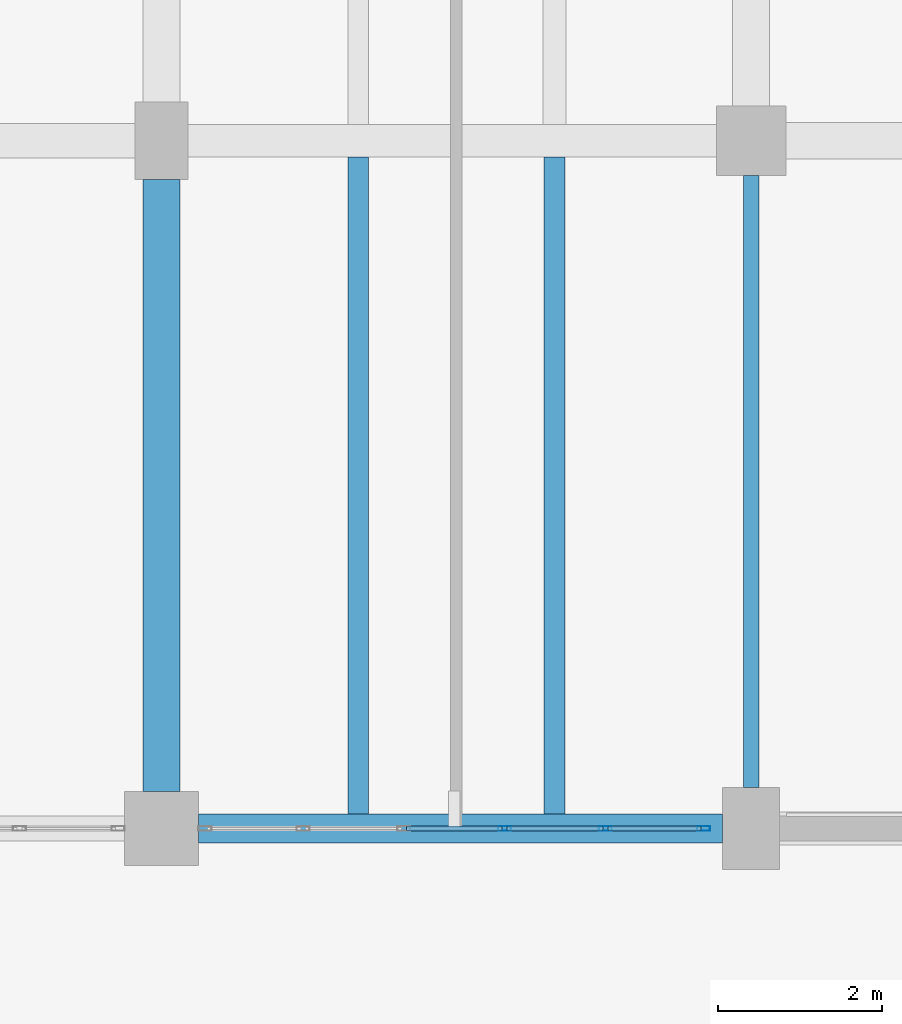
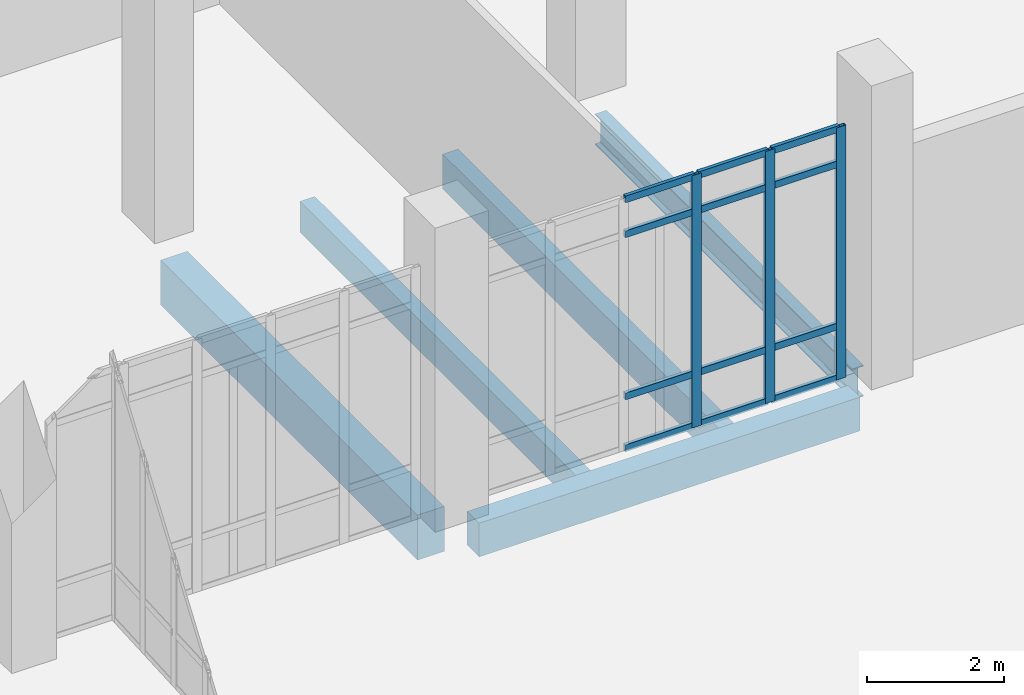
# One storey, part 51 of 110: 15 members, 5 beams, 1 element without a shape of its own.
"""IFC4 building model written with IfcOpenShell, lengths in metres."""

from ifc_helpers import new_model, si_unit, direction, frame, origin, origin_2d, place, context, subcontext, project, spatial, rectangle, hollow_rectangle, i_section, extrude, material, material_profile, profile_set, type_object, element, aggregate, save


model = new_model("IFC4")

# Units and contexts
model_context = context("Model", 3, precision=1e-05, world=origin(), true_north=direction((0.0, 1.0)))
body_context = subcontext(model_context, "Body", "Model", "MODEL_VIEW")
ifc_project = project(units=[si_unit("LENGTHUNIT", "METRE"), si_unit("AREAUNIT", "SQUARE_METRE"), si_unit("VOLUMEUNIT", "CUBIC_METRE"), si_unit("PLANEANGLEUNIT", "RADIAN"), si_unit("MASSUNIT", "GRAM", prefix="KILO")], contexts=[model_context])

# Site, building, storey
site_placement = place(None, origin())
site = spatial("IfcSite", under=ifc_project, at=site_placement, CompositionType="ELEMENT")
building_placement = place(site_placement, origin())
building = spatial("IfcBuilding", under=site, at=building_placement, Name="Kalluvel Institute of Natural Sciences", CompositionType="ELEMENT")
storey_placement = place(building_placement, origin())
storey = spatial("IfcBuildingStorey", under=building, at=storey_placement, Name="L00", CompositionType="ELEMENT", Elevation=0.0)

# Beams
ifc_material_1 = material(Name="Steel E350 Grade 350", Category="steel")
ifc_material_profile_1 = material_profile(ifc_material_1, i_section(OverallWidth=0.18994140625, OverallDepth=0.550048828125, WebThickness=0.01123046875, FlangeThickness=0.019287109375, FilletRadius=0.01806640625, at=origin_2d()), Name="ISMB 550")
ifc_profile_set_1 = profile_set([ifc_material_profile_1], Name="Steel E350 Grade 350")
beam_type_1 = type_object("IfcBeamType", Name="BM-ISMB550", PredefinedType="BEAM", material=ifc_profile_set_1)
beam_1_placement = place(storey_placement, frame((100.39990234375, 103.300048828125, -0.594970703125), z_axis=(0.0, 1.0, 0.0), x_axis=(-1.0, 0.0, 0.0)))
element("IfcBeam", 1, at=beam_1_placement, inside=storey, type_object=beam_type_1, Name="L00 girder GIR-L00-NS-X1004-Y1028", PredefinedType="BEAM", context=body_context, shape_type="SweptSolid", body=[
    extrude(i_section(OverallWidth=0.18994140625, OverallDepth=0.550048828125, WebThickness=0.01123046875, FlangeThickness=0.019287109375, FilletRadius=0.01806640625, at=origin_2d()), origin(), (0.0, 0.0, 1.0), 7.474853515625),
])
ifc_material_2 = material(Name="Concrete M40", Category="concrete")
ifc_material_profile_2 = material_profile(ifc_material_2, rectangle(XDim=0.449951171875, YDim=0.800048828125, at=origin_2d()), Name="RCB 450x800")
ifc_profile_set_2 = profile_set([ifc_material_profile_2], Name="Concrete M40")
beam_type_2 = type_object("IfcBeamType", Name="BM-RC450x800", PredefinedType="BEAM", material=ifc_profile_set_2)
beam_2_placement = place(storey_placement, frame((93.199951171875, 103.25, -0.719970703125), z_axis=(0.0, 1.0, 0.0), x_axis=(-1.0, 0.0, 0.0)))
element("IfcBeam", 2, at=beam_2_placement, inside=storey, type_object=beam_type_2, Name="L00 girder GIR-L00-NS-X932-Y1028", PredefinedType="BEAM", context=body_context, shape_type="SweptSolid", body=[
    extrude(rectangle(XDim=0.449951171875, YDim=0.800048828125, at=origin_2d()), origin(), (0.0, 0.0, 1.0), 7.47509765625),
])

# Curtain wall, members
ifc_material_3 = material(Name="Aluminium AW-6063 T6", Category="aluminium")
curtain_wall_type = type_object("IfcCurtainWallType", Name="CW-WET-54", PredefinedType="USERDEFINED", material=ifc_material_3)
curtain_wall_placement = place(storey_placement, origin())
curtain_wall = element("IfcCurtainWall", 3, at=curtain_wall_placement, inside=storey, type_object=curtain_wall_type, Name="L00 Gothic lancet curtain wall CWA-L00-X937-Y1028", ObjectType="UNITISED LANCET FACADE", PredefinedType="USERDEFINED")
ifc_material_profile_3 = material_profile(ifc_material_3, hollow_rectangle(XDim=0.06005859375, YDim=0.159912109375, WallThickness=0.00390625, at=origin_2d()), Name="CWM 60x160")
ifc_profile_set_3 = profile_set([ifc_material_profile_3], Name="Aluminium AW-6063 T6")
member_type_1 = type_object("IfcMemberType", Name="CWM-60x160", PredefinedType="MULLION", material=ifc_profile_set_3)
member_1_placement = place(storey_placement, frame((97.389892578125, 102.800048828125, 0.0), z_axis=(0.0, 0.0, 1.0), x_axis=(0.0, 1.0, 0.0)))
member_1 = element("IfcMember", 4, at=member_1_placement, type_object=member_type_1, Name="CW-02 mullion 4", PredefinedType="MULLION", context=body_context, shape_type="SweptSolid", body=[
    extrude(hollow_rectangle(XDim=0.06005859375, YDim=0.159912109375, WallThickness=0.00390625, at=origin_2d()), origin(), (0.0, 0.0, 1.0), 4.47998046875),
])
member_2_placement = place(storey_placement, frame((98.6201171875, 102.800048828125, 0.0), z_axis=(0.0, 0.0, 1.0), x_axis=(0.0, 1.0, 0.0)))
member_2 = element("IfcMember", 5, at=member_2_placement, type_object=member_type_1, Name="CW-02 mullion 5", PredefinedType="MULLION", context=body_context, shape_type="SweptSolid", body=[
    extrude(hollow_rectangle(XDim=0.06005859375, YDim=0.159912109375, WallThickness=0.00390625, at=origin_2d()), origin(), (0.0, 0.0, 1.0), 4.47998046875),
])
member_3_placement = place(storey_placement, frame((99.820068359375, 102.800048828125, 0.0), z_axis=(0.0, 0.0, 1.0), x_axis=(0.0, 1.0, 0.0)))
member_3 = element("IfcMember", 6, at=member_3_placement, type_object=member_type_1, Name="CW-02 mullion 6", PredefinedType="MULLION", context=body_context, shape_type="SweptSolid", body=[
    extrude(hollow_rectangle(XDim=0.06005859375, YDim=0.159912109375, WallThickness=0.00390625, at=origin_2d()), origin(), (0.0, 0.0, 1.0), 4.47998046875),
])
ifc_material_profile_4 = material_profile(ifc_material_3, hollow_rectangle(XDim=0.06005859375, YDim=0.1201171875, WallThickness=0.00390625, at=origin_2d()), Name="CWT 60x120")
ifc_profile_set_4 = profile_set([ifc_material_profile_4], Name="Aluminium AW-6063 T6")
member_type_2 = type_object("IfcMemberType", Name="CWT-60x120", PredefinedType="USERDEFINED", material=ifc_profile_set_4)
member_4_placement = place(storey_placement, frame((96.18994140625, 102.800048828125, 0.030029296875), z_axis=(1.0, 0.0, 0.0), x_axis=(0.0, 1.0, 0.0)))
member_4 = element("IfcMember", 7, at=member_4_placement, type_object=member_type_2, Name="CW-02 transom 3.1", ObjectType="TRANSOM", PredefinedType="USERDEFINED", context=body_context, shape_type="SweptSolid", body=[
    extrude(hollow_rectangle(XDim=0.06005859375, YDim=0.1201171875, WallThickness=0.00390625, at=origin_2d()), origin(), (0.0, 0.0, 1.0), 1.170166015625),
])
member_5_placement = place(storey_placement, frame((96.18994140625, 102.800048828125, 0.949951171875), z_axis=(1.0, 0.0, 0.0), x_axis=(0.0, 1.0, 0.0)))
member_5 = element("IfcMember", 8, at=member_5_placement, type_object=member_type_2, Name="CW-02 transom 3.2", ObjectType="TRANSOM", PredefinedType="USERDEFINED", context=body_context, shape_type="SweptSolid", body=[
    extrude(hollow_rectangle(XDim=0.06005859375, YDim=0.1201171875, WallThickness=0.00390625, at=origin_2d()), origin(), (0.0, 0.0, 1.0), 1.170166015625),
])
member_6_placement = place(storey_placement, frame((96.18994140625, 102.800048828125, 3.830078125), z_axis=(1.0, 0.0, 0.0), x_axis=(0.0, 1.0, 0.0)))
member_6 = element("IfcMember", 9, at=member_6_placement, type_object=member_type_2, Name="CW-02 transom 3.3", ObjectType="TRANSOM", PredefinedType="USERDEFINED", context=body_context, shape_type="SweptSolid", body=[
    extrude(hollow_rectangle(XDim=0.06005859375, YDim=0.1201171875, WallThickness=0.00390625, at=origin_2d()), origin(), (0.0, 0.0, 1.0), 1.170166015625),
])
member_7_placement = place(storey_placement, frame((96.18994140625, 102.800048828125, 4.449951171875), z_axis=(1.0, 0.0, 0.0), x_axis=(0.0, 1.0, 0.0)))
member_7 = element("IfcMember", 10, at=member_7_placement, type_object=member_type_2, Name="CW-02 transom 3.4", ObjectType="TRANSOM", PredefinedType="USERDEFINED", context=body_context, shape_type="SweptSolid", body=[
    extrude(hollow_rectangle(XDim=0.06005859375, YDim=0.1201171875, WallThickness=0.00390625, at=origin_2d()), origin(), (0.0, 0.0, 1.0), 1.170166015625),
])
member_8_placement = place(storey_placement, frame((97.419921875, 102.800048828125, 0.030029296875), z_axis=(1.0, 0.0, 0.0), x_axis=(0.0, 1.0, 0.0)))
member_8 = element("IfcMember", 11, at=member_8_placement, type_object=member_type_2, Name="CW-02 transom 4.1", ObjectType="TRANSOM", PredefinedType="USERDEFINED", context=body_context, shape_type="SweptSolid", body=[
    extrude(hollow_rectangle(XDim=0.06005859375, YDim=0.1201171875, WallThickness=0.00390625, at=origin_2d()), origin(), (0.0, 0.0, 1.0), 1.170166015625),
])
member_9_placement = place(storey_placement, frame((97.419921875, 102.800048828125, 0.949951171875), z_axis=(1.0, 0.0, 0.0), x_axis=(0.0, 1.0, 0.0)))
member_9 = element("IfcMember", 12, at=member_9_placement, type_object=member_type_2, Name="CW-02 transom 4.2", ObjectType="TRANSOM", PredefinedType="USERDEFINED", context=body_context, shape_type="SweptSolid", body=[
    extrude(hollow_rectangle(XDim=0.06005859375, YDim=0.1201171875, WallThickness=0.00390625, at=origin_2d()), origin(), (0.0, 0.0, 1.0), 1.170166015625),
])
member_10_placement = place(storey_placement, frame((97.419921875, 102.800048828125, 3.830078125), z_axis=(1.0, 0.0, 0.0), x_axis=(0.0, 1.0, 0.0)))
member_10 = element("IfcMember", 13, at=member_10_placement, type_object=member_type_2, Name="CW-02 transom 4.3", ObjectType="TRANSOM", PredefinedType="USERDEFINED", context=body_context, shape_type="SweptSolid", body=[
    extrude(hollow_rectangle(XDim=0.06005859375, YDim=0.1201171875, WallThickness=0.00390625, at=origin_2d()), origin(), (0.0, 0.0, 1.0), 1.170166015625),
])
member_11_placement = place(storey_placement, frame((97.419921875, 102.800048828125, 4.449951171875), z_axis=(1.0, 0.0, 0.0), x_axis=(0.0, 1.0, 0.0)))
member_11 = element("IfcMember", 14, at=member_11_placement, type_object=member_type_2, Name="CW-02 transom 4.4", ObjectType="TRANSOM", PredefinedType="USERDEFINED", context=body_context, shape_type="SweptSolid", body=[
    extrude(hollow_rectangle(XDim=0.06005859375, YDim=0.1201171875, WallThickness=0.00390625, at=origin_2d()), origin(), (0.0, 0.0, 1.0), 1.170166015625),
])
member_12_placement = place(storey_placement, frame((98.64990234375, 102.800048828125, 0.030029296875), z_axis=(1.0, 0.0, 0.0), x_axis=(0.0, 1.0, 0.0)))
member_12 = element("IfcMember", 15, at=member_12_placement, type_object=member_type_2, Name="CW-02 transom 5.1", ObjectType="TRANSOM", PredefinedType="USERDEFINED", context=body_context, shape_type="SweptSolid", body=[
    extrude(hollow_rectangle(XDim=0.06005859375, YDim=0.1201171875, WallThickness=0.00390625, at=origin_2d()), origin(), (0.0, 0.0, 1.0), 1.14013671875),
])
member_13_placement = place(storey_placement, frame((98.64990234375, 102.800048828125, 0.949951171875), z_axis=(1.0, 0.0, 0.0), x_axis=(0.0, 1.0, 0.0)))
member_13 = element("IfcMember", 16, at=member_13_placement, type_object=member_type_2, Name="CW-02 transom 5.2", ObjectType="TRANSOM", PredefinedType="USERDEFINED", context=body_context, shape_type="SweptSolid", body=[
    extrude(hollow_rectangle(XDim=0.06005859375, YDim=0.1201171875, WallThickness=0.00390625, at=origin_2d()), origin(), (0.0, 0.0, 1.0), 1.14013671875),
])
member_14_placement = place(storey_placement, frame((98.64990234375, 102.800048828125, 3.830078125), z_axis=(1.0, 0.0, 0.0), x_axis=(0.0, 1.0, 0.0)))
member_14 = element("IfcMember", 17, at=member_14_placement, type_object=member_type_2, Name="CW-02 transom 5.3", ObjectType="TRANSOM", PredefinedType="USERDEFINED", context=body_context, shape_type="SweptSolid", body=[
    extrude(hollow_rectangle(XDim=0.06005859375, YDim=0.1201171875, WallThickness=0.00390625, at=origin_2d()), origin(), (0.0, 0.0, 1.0), 1.14013671875),
])
member_15_placement = place(storey_placement, frame((98.64990234375, 102.800048828125, 4.449951171875), z_axis=(1.0, 0.0, 0.0), x_axis=(0.0, 1.0, 0.0)))
member_15 = element("IfcMember", 18, at=member_15_placement, type_object=member_type_2, Name="CW-02 transom 5.4", ObjectType="TRANSOM", PredefinedType="USERDEFINED", context=body_context, shape_type="SweptSolid", body=[
    extrude(hollow_rectangle(XDim=0.06005859375, YDim=0.1201171875, WallThickness=0.00390625, at=origin_2d()), origin(), (0.0, 0.0, 1.0), 1.14013671875),
])
aggregate(curtain_wall, [member_1, member_2, member_3, member_4, member_5, member_6, member_7, member_8, member_9, member_10, member_11, member_12, member_13, member_14, member_15])

# Beams
ifc_material_profile_5 = material_profile(ifc_material_2, rectangle(XDim=0.35009765625, YDim=0.60009765625, at=origin_2d()), Name="RCB 350x600")
ifc_profile_set_5 = profile_set([ifc_material_profile_5], Name="Concrete M40")
beam_type_3 = type_object("IfcBeamType", Name="SP-RC350x600", PredefinedType="SPANDREL", material=ifc_profile_set_5)
beam_3_placement = place(storey_placement, frame((93.64990234375, 102.800048828125, -0.6201171875), z_axis=(1.0, 0.0, 0.0), x_axis=(0.0, 1.0, 0.0)))
element("IfcBeam", 19, at=beam_3_placement, inside=storey, type_object=beam_type_3, Name="L00 girder GIR-L00-EW-X932-Y1028", PredefinedType="SPANDREL", context=body_context, shape_type="SweptSolid", body=[
    extrude(rectangle(XDim=0.35009765625, YDim=0.60009765625, at=origin_2d()), origin(), (0.0, 0.0, 1.0), 6.400146484375),
])
ifc_material_profile_6 = material_profile(ifc_material_2, rectangle(XDim=0.25, YDim=0.550048828125, at=origin_2d()), Name="WAF 250x550")
ifc_profile_set_6 = profile_set([ifc_material_profile_6], Name="Concrete M40")
beam_type_4 = type_object("IfcBeamType", Name="WJ-250x550", PredefinedType="JOIST", material=ifc_profile_set_6)
beam_4_placement = place(storey_placement, frame((95.60009765625, 102.97509765625, -0.594970703125), z_axis=(0.0, 1.0, 0.0), x_axis=(-1.0, 0.0, 0.0)))
element("IfcBeam", 20, at=beam_4_placement, inside=storey, type_object=beam_type_4, Name="L00 waffle joist RIB-L00-0056", PredefinedType="JOIST", context=body_context, shape_type="SweptSolid", body=[
    extrude(rectangle(XDim=0.25, YDim=0.550048828125, at=origin_2d()), origin(), (0.0, 0.0, 1.0), 8.02490234375),
])
ifc_material_4 = material(Name="Concrete M50", Category="concrete")
ifc_material_profile_7 = material_profile(ifc_material_4, rectangle(XDim=0.260009765625, YDim=0.6201171875, at=origin_2d()), Name="WAF 260x620")
ifc_profile_set_7 = profile_set([ifc_material_profile_7], Name="Concrete M50")
beam_type_5 = type_object("IfcBeamType", Name="WJ-260x620", PredefinedType="JOIST", material=ifc_profile_set_7)
beam_5_placement = place(storey_placement, frame((98.0, 102.97509765625, -0.6298828125), z_axis=(0.0, 1.0, 0.0), x_axis=(-1.0, 0.0, 0.0)))
element("IfcBeam", 21, at=beam_5_placement, inside=storey, type_object=beam_type_5, Name="L00 waffle joist RIB-L00-0057", PredefinedType="JOIST", context=body_context, shape_type="SweptSolid", body=[
    extrude(rectangle(XDim=0.260009765625, YDim=0.6201171875, at=origin_2d()), origin(), (0.0, 0.0, 1.0), 8.02490234375),
])

save(model, "model.ifc")
